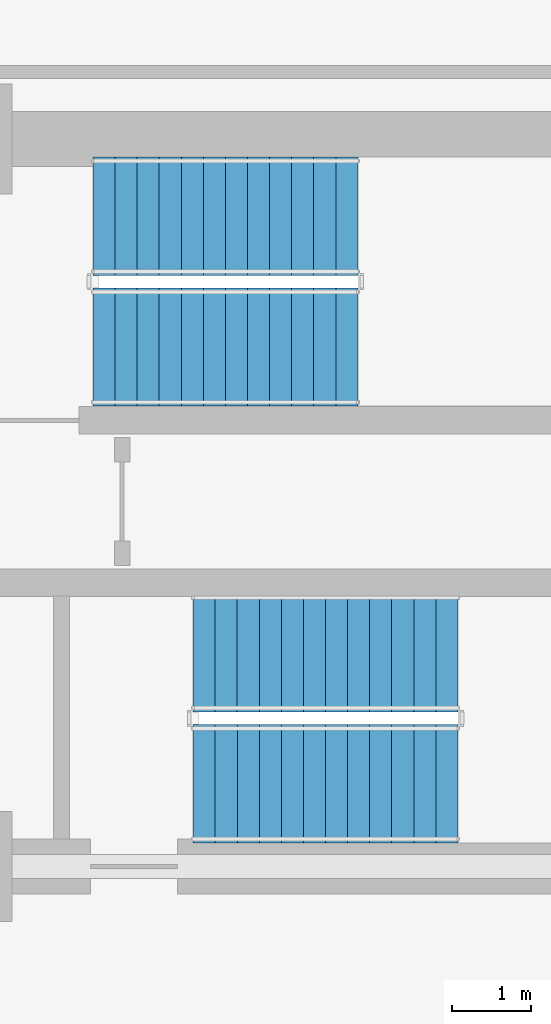
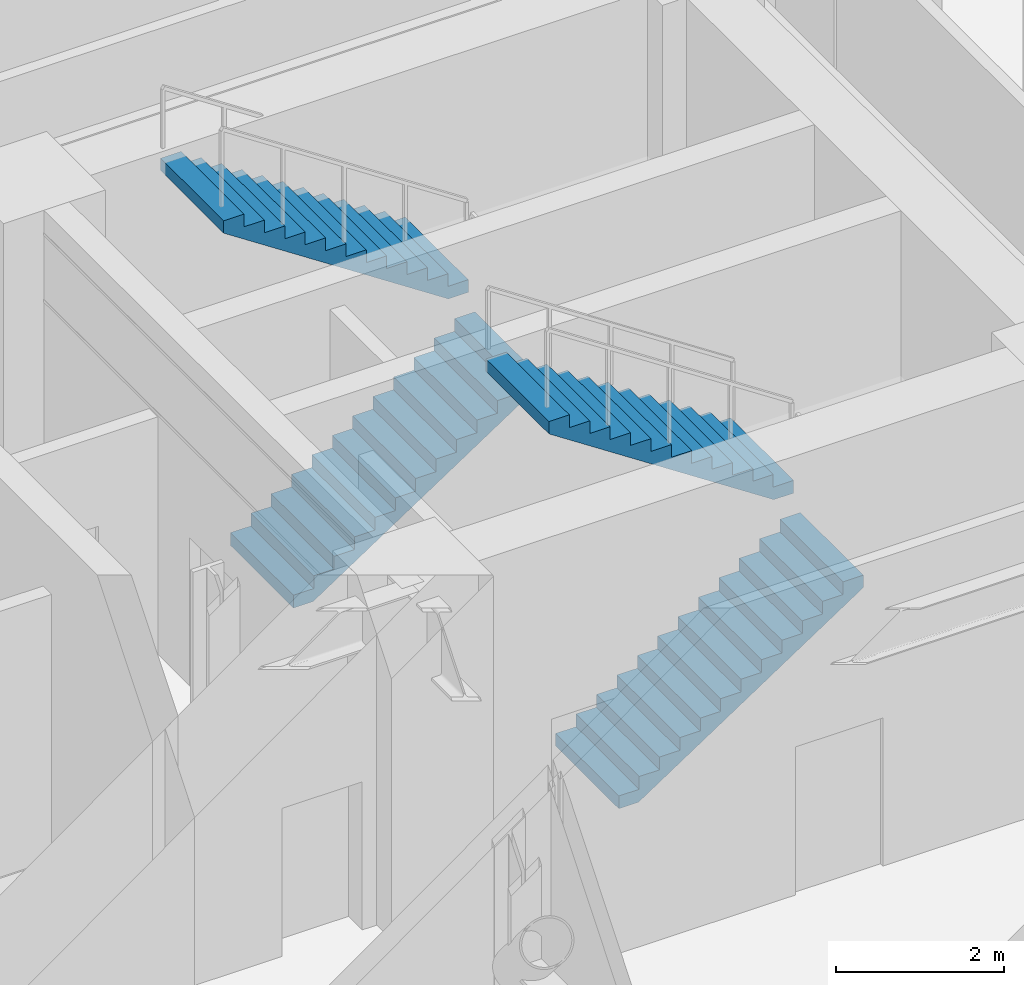
# One storey, part 10 of 12: 4 stair flights, 2 elements without a shape of their own.
"""IFC4 building model written with IfcOpenShell, lengths in metres."""

import ifcopenshell
import ifcopenshell.guid

model = None  # the IFC model being written
_history = None  # IfcOwnerHistory: only IFC2X3 demands one
_inside = {}  # id of a spatial element -> (the spatial element, [elements in it])
_under = {}  # id of a project, library or spatial element -> (it, [spatial elements below it])
_declared = {}  # id of a project -> (the project, [libraries it declares])
_typed = {}  # id of a type object -> (the type object, [elements of that type])
_made_of = {}  # id of a material, layer set ... -> (it, [elements and type objects made of it])


def new_model(schema):
    """Start an empty IFC model of exactly this schema.

    Asked for "IFC4X3", IfcOpenShell would pick the latest addendum, in which some entities
    have other attributes; the version numbers below select the first issue.
    IFC2X3 requires an IfcOwnerHistory on every rooted entity: one is made here for all.
    """
    global model, _history
    if schema == "IFC4X3":
        model = ifcopenshell.file(schema_version=(4, 3, 0, 0))
    else:
        model = ifcopenshell.file(schema=schema)
    _inside.clear()
    _under.clear()
    _declared.clear()
    _typed.clear()
    _made_of.clear()
    _history = None
    if model.schema == "IFC2X3":
        org = make("IfcOrganization", Name="unknown")
        user = make(
            "IfcPersonAndOrganization",
            ThePerson=make("IfcPerson", FamilyName="unknown"),
            TheOrganization=org,
        )
        app = make(
            "IfcApplication",
            ApplicationDeveloper=org,
            Version="unknown",
            ApplicationFullName="unknown",
            ApplicationIdentifier="unknown",
        )
        _history = make(
            "IfcOwnerHistory",
            OwningUser=user,
            OwningApplication=app,
            ChangeAction="ADDED",
            CreationDate=0,
        )
    return model


def make(cls, **values):
    """One entity of the class cls with the attributes given. An attribute that is None is left unset."""
    return model.create_entity(
        cls, **{name: value for name, value in values.items() if value is not None}
    )


def rooted(cls, **values):
    """An entity with a GlobalId (a new one), such as an element, a storey or a relation."""
    return make(cls, GlobalId=ifcopenshell.guid.new(), OwnerHistory=_history, **values)


def si_unit(unit_type, name, prefix=None):
    """IfcSIUnit, for example si_unit("LENGTHUNIT", "METRE", prefix="MILLI")."""
    return make("IfcSIUnit", UnitType=unit_type, Prefix=prefix, Name=name)


def assignment(units):
    """IfcUnitAssignment: the units of a project."""
    return None if units is None else make("IfcUnitAssignment", Units=units)


def point(xyz):
    """IfcCartesianPoint."""
    return None if xyz is None else make("IfcCartesianPoint", Coordinates=xyz)


def direction(xyz):
    """IfcDirection."""
    return None if xyz is None else make("IfcDirection", DirectionRatios=xyz)


def frame(location, z_axis=None, x_axis=None):
    """IfcAxis2Placement3D, a coordinate frame: its origin and axes. An axis left out is left unset."""
    return make(
        "IfcAxis2Placement3D",
        Location=point(location),
        Axis=direction(z_axis),
        RefDirection=direction(x_axis),
    )


def origin():
    """The frame at (0, 0, 0) with its axes left unset."""
    return frame((0.0, 0.0, 0.0))


def place(relative_to, where):
    """IfcLocalPlacement: puts the frame where relative to a parent placement (None: the world)."""
    return make(
        "IfcLocalPlacement", PlacementRelTo=relative_to, RelativePlacement=where
    )


def context(
    kind, dimensions, precision=None, world=None, true_north=None, identifier=None
):
    """IfcGeometricRepresentationContext, for example the 3D "Model" context."""
    return make(
        "IfcGeometricRepresentationContext",
        ContextIdentifier=identifier,
        ContextType=kind,
        CoordinateSpaceDimension=dimensions,
        Precision=precision,
        WorldCoordinateSystem=world,
        TrueNorth=true_north,
    )


def subcontext(parent, identifier, kind, view, scale=None):
    """IfcGeometricRepresentationSubContext, for example "Body" below "Model"."""
    return make(
        "IfcGeometricRepresentationSubContext",
        ContextIdentifier=identifier,
        ContextType=kind,
        ParentContext=parent,
        TargetScale=scale,
        TargetView=view,
    )


def project(units=None, contexts=None):
    """IfcProject with its units and contexts."""
    return rooted(
        "IfcProject",
        Name="project",
        RepresentationContexts=contexts,
        UnitsInContext=assignment(units),
    )


def spatial(cls, under=None, at=None, **own):
    """A site, building, storey or space (cls), placed at a placement, below another one or the project."""
    s = rooted(cls, ObjectPlacement=at, **own)
    if under is not None:
        _under.setdefault(under.id(), (under, []))[1].append(s)
    return s


def polyline(points):
    """IfcPolyline through the points."""
    return make("IfcPolyline", Points=[point(p) for p in points])


def outline(outer, holes=None, kind="AREA"):
    """IfcArbitraryClosedProfileDef: a profile drawn as a closed curve; with holes, ...WithVoids."""
    if holes is None:
        return make("IfcArbitraryClosedProfileDef", ProfileType=kind, OuterCurve=outer)
    return make(
        "IfcArbitraryProfileDefWithVoids",
        ProfileType=kind,
        OuterCurve=outer,
        InnerCurves=holes,
    )


def extrude(swept, where, along, depth):
    """IfcExtrudedAreaSolid: the profile swept, set in the frame where, extruded along a direction by depth."""
    return make(
        "IfcExtrudedAreaSolid",
        SweptArea=swept,
        Position=where,
        ExtrudedDirection=direction(along),
        Depth=depth,
    )


def shape(context_of_items, identifier, shape_type, items):
    """IfcShapeRepresentation: the items that make up one representation, for example the "Body"."""
    return make(
        "IfcShapeRepresentation",
        ContextOfItems=context_of_items,
        RepresentationIdentifier=identifier,
        RepresentationType=shape_type,
        Items=items,
    )


def material(Name=None, Category=None):
    """IfcMaterial."""
    return make("IfcMaterial", Name=Name, Category=Category)


def layer(
    of_material, thickness, ventilated=None, Name=None, Category=None, Priority=None
):
    """IfcMaterialLayer: one layer of a wall or slab, of a material (None: an air gap)."""
    return make(
        "IfcMaterialLayer",
        Material=of_material,
        LayerThickness=thickness,
        IsVentilated=ventilated,
        Name=Name,
        Category=Category,
        Priority=Priority,
    )


def layer_set(layers, Name=None):
    """IfcMaterialLayerSet."""
    return make("IfcMaterialLayerSet", MaterialLayers=layers, LayerSetName=Name)


def made_of(thing, what):
    """Note that an element or type object is made of a material, layer set ...; save() writes the relation."""
    if what is not None:
        _made_of.setdefault(what.id(), (what, []))[1].append(thing)
    return thing


def type_object(cls, material=None, **own):
    """A type object (cls), such as IfcWallType, which elements share."""
    return made_of(rooted(cls, **own), material)


def element(
    cls,
    number,
    at=None,
    inside=None,
    cuts=None,
    type_object=None,
    material=None,
    context=None,
    identifier="Body",
    shape_type=None,
    held_by="IfcProductDefinitionShape",
    body=None,
    shapes=None,
    **own,
):
    """One element of the class cls, such as IfcWall. Its Tag is "e" and its number.

    at: its placement. inside: the storey or other place that contains it. cuts: it is an
    opening in that element (IfcRelVoidsElement). A single representation is given by context,
    identifier, shape_type and body (its items); several are given by shapes. held_by: the class
    of the entity that holds the representations. save() writes the other relations.
    """
    e = rooted(cls, Tag="e%d" % number, ObjectPlacement=at, **own)
    if body is not None:
        shapes = [shape(context, identifier, shape_type, body)]
    if shapes is not None:
        e.Representation = make(held_by, Representations=shapes)
    if inside is not None:
        _inside.setdefault(inside.id(), (inside, []))[1].append(e)
    if cuts is not None:
        rooted(
            "IfcRelVoidsElement", RelatingBuildingElement=cuts, RelatedOpeningElement=e
        )
    if type_object is not None:
        _typed.setdefault(type_object.id(), (type_object, []))[1].append(e)
    return made_of(e, material)


def aggregate(whole, parts):
    """IfcRelAggregates: a whole, such as a stair, and the parts it consists of."""
    return rooted("IfcRelAggregates", RelatingObject=whole, RelatedObjects=parts)


def save(model, path):
    """Write the relations noted so far, then the file.

    IfcRelAggregates (storeys below a building ...), IfcRelContainedInSpatialStructure (elements
    in a storey), IfcRelDefinesByType, IfcRelAssociatesMaterial and IfcRelDeclares: one each for
    every whole, place, type object, material and project.
    """
    for whole, parts in _under.values():
        aggregate(whole, parts)
    for where, things in _inside.values():
        rooted(
            "IfcRelContainedInSpatialStructure",
            RelatedElements=things,
            RelatingStructure=where,
        )
    for kind, things in _typed.values():
        rooted("IfcRelDefinesByType", RelatedObjects=things, RelatingType=kind)
    for what, things in _made_of.values():
        rooted("IfcRelAssociatesMaterial", RelatedObjects=things, RelatingMaterial=what)
    for by, libraries in _declared.values():
        rooted("IfcRelDeclares", RelatingContext=by, RelatedDefinitions=libraries)
    model.write(path)


model = new_model("IFC4")

# Units and contexts
model_context = context("Model", 3, precision=1e-05, world=origin(), true_north=direction((0.0, 1.0)))
body_context = subcontext(model_context, "Body", "Model", "MODEL_VIEW")
ifc_project = project(units=[si_unit("LENGTHUNIT", "METRE"), si_unit("AREAUNIT", "SQUARE_METRE"), si_unit("VOLUMEUNIT", "CUBIC_METRE"), si_unit("PLANEANGLEUNIT", "RADIAN"), si_unit("MASSUNIT", "GRAM", prefix="KILO")], contexts=[model_context])

# Site, building, storey
site_placement = place(None, origin())
site = spatial("IfcSite", under=ifc_project, at=site_placement, CompositionType="ELEMENT")
building_placement = place(site_placement, origin())
building = spatial("IfcBuilding", under=site, at=building_placement, Name="Zarnavel Station Tower", CompositionType="ELEMENT")
storey_placement = place(building_placement, frame((0.0, 0.0, 74.5)))
storey = spatial("IfcBuildingStorey", under=building, at=storey_placement, Name="L20", CompositionType="ELEMENT", Elevation=74.5)

# Stair, stair flights
ifc_material_1 = material(Name="Concrete C45/55", Category="concrete")
stair_type = type_object("IfcStairType", Name="ST_CORE_150", PredefinedType="HALF_TURN_STAIR", material=ifc_material_1)
stair_1_placement = place(storey_placement, origin())
stair_1 = element("IfcStair", 1, at=stair_1_placement, inside=storey, type_object=stair_type, Name="L20 Core Exit Stair ST2", PredefinedType="HALF_TURN_STAIR")
ifc_material_2 = material(Name="Concrete C45/55", Category="concrete")
ifc_layer = layer(ifc_material_2, 0.179931640625)
ifc_layer_set = layer_set([ifc_layer], Name="ST_CORE_150_FLT")
stair_flight_type = type_object("IfcStairFlightType", Name="ST_CORE_150_FLT", PredefinedType="STRAIGHT", material=ifc_layer_set)
stair_flight_1_placement = place(storey_placement, frame((38.080078125, 34.409912109375, 0.0), z_axis=(0.0, 0.0, 1.0), x_axis=(1.0, 0.0, 0.0)))
stair_flight_1 = element("IfcStairFlight", 2, at=stair_flight_1_placement, type_object=stair_flight_type, Name="ST2 flight 1", NumberOfRisers=13, NumberOfTreads=12, PredefinedType="STRAIGHT", RiserHeight=0.184615385, TreadLength=0.28, context=body_context, shape_type="SweptSolid", body=[
    extrude(outline(polyline([(0.0, 0.0), (0.0, 0.1845703125), (0.280029296875, 0.1845703125), (0.280029296875, 0.369140625), (0.56005859375, 0.369140625), (0.56005859375, 0.553955078125), (0.840087890625, 0.553955078125), (0.840087890625, 0.738525390625), (1.1201171875, 0.738525390625), (1.1201171875, 0.923095703125), (1.39990234375, 0.923095703125), (1.39990234375, 1.107666015625), (1.679931640625, 1.107666015625), (1.679931640625, 1.292236328125), (1.9599609375, 1.292236328125), (1.9599609375, 1.476806640625), (2.239990234375, 1.476806640625), (2.239990234375, 1.66162109375), (2.52001953125, 1.66162109375), (2.52001953125, 1.84619140625), (2.800048828125, 1.84619140625), (2.800048828125, 2.03076171875), (3.080078125, 2.03076171875), (3.080078125, 2.21533203125), (3.360107421875, 2.21533203125), (3.360107421875, 2.39990234375), (3.360107421875, 2.035888671875), (0.272216796875, 0.0), (0.0, 0.0)])), frame((0.0, 0.75, 0.0), z_axis=(0.0, -1.0, 0.0), x_axis=(1.0, 0.0, 0.0)), (0.0, 0.0, 1.0), 1.5),
])
stair_flight_2_placement = place(storey_placement, frame((41.43994140625, 36.070068359375, 2.39990234375), z_axis=(0.0, 0.0, 1.0), x_axis=(-1.0, 0.0, 0.0)))
stair_flight_2 = element("IfcStairFlight", 3, at=stair_flight_2_placement, type_object=stair_flight_type, Name="ST2 flight 2", NumberOfRisers=13, NumberOfTreads=12, PredefinedType="STRAIGHT", RiserHeight=0.184615385, TreadLength=0.28, context=body_context, shape_type="SweptSolid", body=[
    extrude(outline(polyline([(0.0, 0.0), (0.0, 0.1845703125), (0.280029296875, 0.1845703125), (0.280029296875, 0.369140625), (0.56005859375, 0.369140625), (0.56005859375, 0.553955078125), (0.840087890625, 0.553955078125), (0.840087890625, 0.738525390625), (1.1201171875, 0.738525390625), (1.1201171875, 0.923095703125), (1.39990234375, 0.923095703125), (1.39990234375, 1.107666015625), (1.679931640625, 1.107666015625), (1.679931640625, 1.292236328125), (1.9599609375, 1.292236328125), (1.9599609375, 1.476806640625), (2.239990234375, 1.476806640625), (2.239990234375, 1.66162109375), (2.52001953125, 1.66162109375), (2.52001953125, 1.84619140625), (2.800048828125, 1.84619140625), (2.800048828125, 2.03076171875), (3.080078125, 2.03076171875), (3.080078125, 2.21533203125), (3.360107421875, 2.21533203125), (3.360107421875, 2.39990234375), (3.360107421875, 2.035888671875), (0.272216796875, 0.0), (0.0, 0.0)])), frame((0.0, 0.75, 0.0), z_axis=(0.0, -1.0, 0.0), x_axis=(1.0, 0.0, 0.0)), (0.0, 0.0, 1.0), 1.5),
])
aggregate(stair_1, [stair_flight_1, stair_flight_2])

stair_2_placement = place(storey_placement, origin())
stair_2 = element("IfcStair", 4, at=stair_2_placement, inside=storey, type_object=stair_type, Name="L20 Core Exit Stair ST3", PredefinedType="HALF_TURN_STAIR")
stair_flight_3_placement = place(storey_placement, frame((39.35009765625, 28.8701171875, 0.0), z_axis=(0.0, 0.0, 1.0), x_axis=(1.0, 0.0, 0.0)))
stair_flight_3 = element("IfcStairFlight", 5, at=stair_flight_3_placement, type_object=stair_flight_type, Name="ST3 flight 1", NumberOfRisers=13, NumberOfTreads=12, PredefinedType="STRAIGHT", RiserHeight=0.184615385, TreadLength=0.28, context=body_context, shape_type="SweptSolid", body=[
    extrude(outline(polyline([(0.0, 0.0), (0.0, 0.1845703125), (0.280029296875, 0.1845703125), (0.280029296875, 0.369140625), (0.56005859375, 0.369140625), (0.56005859375, 0.553955078125), (0.840087890625, 0.553955078125), (0.840087890625, 0.738525390625), (1.1201171875, 0.738525390625), (1.1201171875, 0.923095703125), (1.39990234375, 0.923095703125), (1.39990234375, 1.107666015625), (1.679931640625, 1.107666015625), (1.679931640625, 1.292236328125), (1.9599609375, 1.292236328125), (1.9599609375, 1.476806640625), (2.239990234375, 1.476806640625), (2.239990234375, 1.66162109375), (2.52001953125, 1.66162109375), (2.52001953125, 1.84619140625), (2.800048828125, 1.84619140625), (2.800048828125, 2.03076171875), (3.080078125, 2.03076171875), (3.080078125, 2.21533203125), (3.360107421875, 2.21533203125), (3.360107421875, 2.39990234375), (3.360107421875, 2.035888671875), (0.272216796875, 0.0), (0.0, 0.0)])), frame((0.0, 0.75, 0.0), z_axis=(0.0, -1.0, 0.0), x_axis=(1.0, 0.0, 0.0)), (0.0, 0.0, 1.0), 1.5),
])
stair_flight_4_placement = place(storey_placement, frame((42.7099609375, 30.530029296875, 2.39990234375), z_axis=(0.0, 0.0, 1.0), x_axis=(-1.0, 0.0, 0.0)))
stair_flight_4 = element("IfcStairFlight", 6, at=stair_flight_4_placement, type_object=stair_flight_type, Name="ST3 flight 2", NumberOfRisers=13, NumberOfTreads=12, PredefinedType="STRAIGHT", RiserHeight=0.184615385, TreadLength=0.28, context=body_context, shape_type="SweptSolid", body=[
    extrude(outline(polyline([(0.0, 0.0), (0.0, 0.1845703125), (0.280029296875, 0.1845703125), (0.280029296875, 0.369140625), (0.56005859375, 0.369140625), (0.56005859375, 0.553955078125), (0.840087890625, 0.553955078125), (0.840087890625, 0.738525390625), (1.1201171875, 0.738525390625), (1.1201171875, 0.923095703125), (1.39990234375, 0.923095703125), (1.39990234375, 1.107666015625), (1.679931640625, 1.107666015625), (1.679931640625, 1.292236328125), (1.9599609375, 1.292236328125), (1.9599609375, 1.476806640625), (2.239990234375, 1.476806640625), (2.239990234375, 1.66162109375), (2.52001953125, 1.66162109375), (2.52001953125, 1.84619140625), (2.800048828125, 1.84619140625), (2.800048828125, 2.03076171875), (3.080078125, 2.03076171875), (3.080078125, 2.21533203125), (3.360107421875, 2.21533203125), (3.360107421875, 2.39990234375), (3.360107421875, 2.035888671875), (0.272216796875, 0.0), (0.0, 0.0)])), frame((0.0, 0.75, 0.0), z_axis=(0.0, -1.0, 0.0), x_axis=(1.0, 0.0, 0.0)), (0.0, 0.0, 1.0), 1.5),
])
aggregate(stair_2, [stair_flight_3, stair_flight_4])

save(model, "model.ifc")
